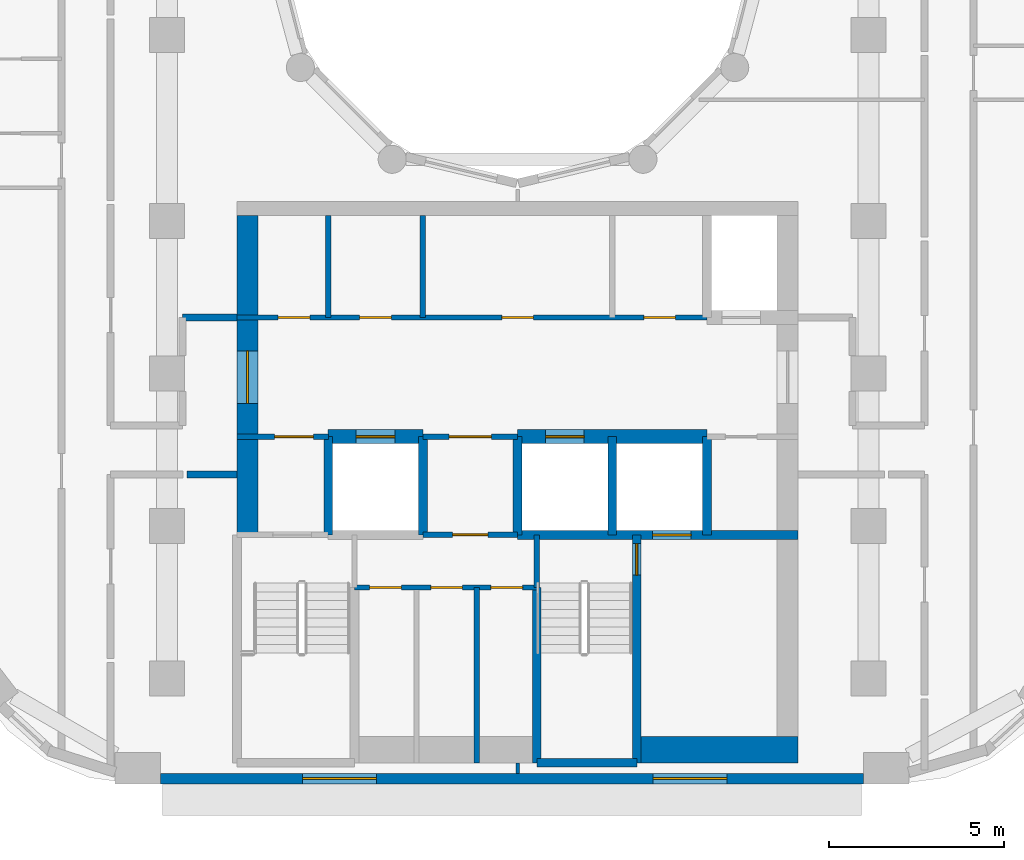
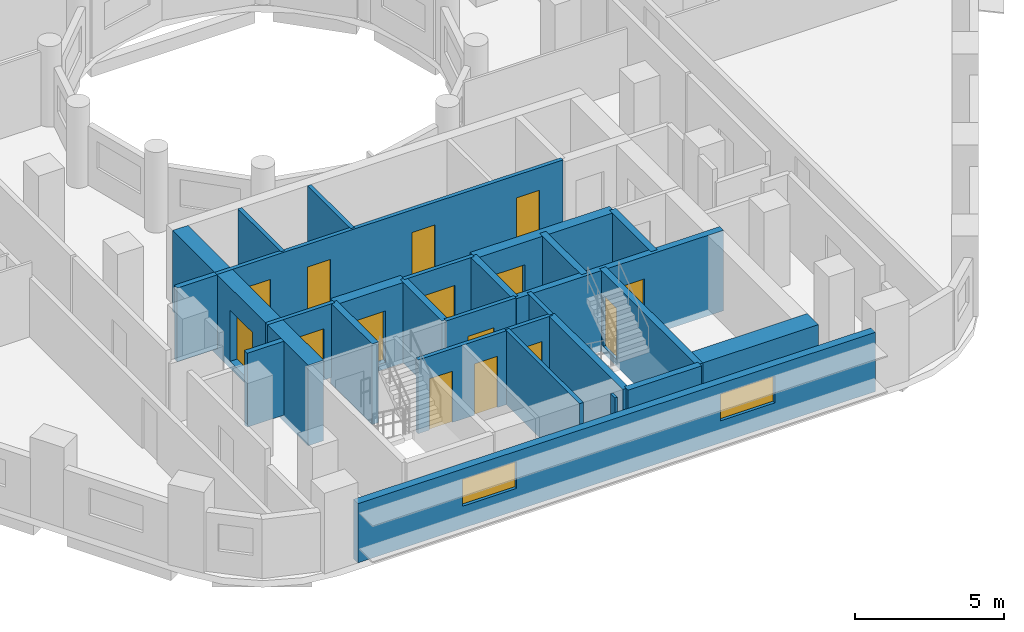
# One storey, part 3 of 13: 26 walls, 15 doors, 2 windows, 17 openings.
"""IFC4 building model written with IfcOpenShell, lengths in metres."""

from ifc_helpers import new_model, si_unit, direction, frame, frame_2d, origin, place, context, subcontext, project, spatial, rectangle, extrude, material, layer, layer_set, type_object, element, fill, save


model = new_model("IFC4")

# Units and contexts
model_context = context("Model", 3, precision=1e-05, world=origin(), true_north=direction((0.0, 1.0)))
body_context = subcontext(model_context, "Body", "Model", "MODEL_VIEW")
ifc_project = project(units=[si_unit("LENGTHUNIT", "METRE"), si_unit("AREAUNIT", "SQUARE_METRE"), si_unit("VOLUMEUNIT", "CUBIC_METRE"), si_unit("PLANEANGLEUNIT", "RADIAN"), si_unit("MASSUNIT", "GRAM", prefix="KILO")], contexts=[model_context])

# Site, building, storey
site_placement = place(None, origin())
site = spatial("IfcSite", under=ifc_project, at=site_placement, CompositionType="ELEMENT")
building_placement = place(site_placement, origin())
building = spatial("IfcBuilding", under=site, at=building_placement, Name="Nakaniwa Court", CompositionType="ELEMENT")
storey_placement = place(building_placement, frame((0.0, 0.0, 147.0)))
storey = spatial("IfcBuildingStorey", under=building, at=storey_placement, Name="L38", CompositionType="ELEMENT", Elevation=147.0)

# Walls
ifc_material_1 = material(Name="Acoustic double stud partition")
ifc_layer_1 = layer(ifc_material_1, 0.199951171875)
ifc_layer_set_1 = layer_set([ifc_layer_1], Name="Acoustic double stud partition")
wall_type_1 = type_object("IfcWallType", Name="Acoustic double stud partition 200", PredefinedType="PARTITIONING", material=ifc_layer_set_1)
wall_1_placement = place(storey_placement, frame((70.5771484375, 64.824951171875, 0.0), z_axis=(0.0, 0.0, 1.0), x_axis=(1.0, 0.0, 0.0)))
element("IfcWall", 1, at=wall_1_placement, inside=storey, type_object=wall_type_1, Name="Partition PW-080", PredefinedType="PARTITIONING", context=body_context, shape_type="SweptSolid", body=[
    extrude(rectangle(XDim=1.4228515625, YDim=0.199951171875, at=frame_2d((0.71142578125, 0.0))), origin(), (0.0, 0.0, 1.0), 3.02490234375),
])
wall_2_placement = place(storey_placement, frame((70.449951171875, 69.300048828125, 0.0), z_axis=(0.0, 0.0, 1.0), x_axis=(1.0, 0.0, 0.0)))
element("IfcWall", 2, at=wall_2_placement, inside=storey, type_object=wall_type_1, Name="Partition PW-084", PredefinedType="PARTITIONING", context=body_context, shape_type="SweptSolid", body=[
    extrude(rectangle(XDim=1.550048828125, YDim=0.199951171875, at=frame_2d((0.77490234375, 0.0))), origin(), (0.0, 0.0, 1.0), 3.02490234375),
])

# Wall, openings, windows
ifc_material_2 = material(Name="Charcoal ceramic cladding")
ifc_layer_2 = layer(ifc_material_2, 0.02, Name="Ceramic cladding")
ifc_material_3 = material(Name="Ventilated air cavity")
ifc_layer_3 = layer(ifc_material_3, 0.04, ventilated=True, Name="Ventilated cavity")
ifc_material_4 = material(Name="Mineral wool insulation")
ifc_layer_4 = layer(ifc_material_4, 0.1, Name="Insulation")
ifc_material_5 = material(Name="Cement bonded sheathing board")
ifc_layer_5 = layer(ifc_material_5, 0.012, Name="Sheathing")
ifc_material_6 = material(Name="Cold-formed galvanised stud frame with mineral wool infill")
ifc_layer_6 = layer(ifc_material_6, 0.1, Name="Stud frame")
ifc_material_7 = material(Name="Fire-rated gypsum plasterboard lining")
ifc_layer_7 = layer(ifc_material_7, 0.028, Name="Lining")
ifc_layer_set_2 = layer_set([ifc_layer_2, ifc_layer_3, ifc_layer_4, ifc_layer_5, ifc_layer_6, ifc_layer_7], Name="Charcoal ceramic faced external wall system")
wall_type_2 = type_object("IfcWallType", Name="Black ceramic faced external wall 300", PredefinedType="SOLIDWALL", material=ifc_layer_set_2)
wall_3_placement = place(storey_placement, frame((69.8212890625, 56.14990234375, 0.0), z_axis=(0.0, 0.0, 1.0), x_axis=(1.0, 0.0, 0.0)))
wall_3 = element("IfcWall", 3, at=wall_3_placement, inside=storey, type_object=wall_type_2, Name="L38 external wall 26", PredefinedType="SOLIDWALL", context=body_context, shape_type="SweptSolid", body=[
    extrude(rectangle(XDim=20.039794921875, YDim=0.300048828125, at=frame_2d((10.02001953125, 0.0))), origin(), (0.0, 0.0, 1.0), 2.425048828125),
])
opening_1_placement = place(wall_3_placement, frame((4.05126953125, 0.0, 0.89990234375)))
opening_1 = element("IfcOpeningElement", 4, at=opening_1_placement, cuts=wall_3, Name="Opening W7.27", PredefinedType="OPENING", context=body_context, shape_type="SweptSolid", body=[
    extrude(rectangle(XDim=2.10009765625, YDim=1.10009765625, at=frame_2d((1.050048828125, 0.550048828125))), frame((0.0, 0.159912109375, 0.0), z_axis=(0.0, -1.0, 0.0), x_axis=(1.0, 0.0, 0.0)), (0.0, 0.0, 1.0), 0.320068359375),
])
opening_2_placement = place(wall_3_placement, frame((14.047119140625, 0.0, 0.89990234375)))
opening_2 = element("IfcOpeningElement", 5, at=opening_2_placement, cuts=wall_3, Name="Opening W7.28", PredefinedType="OPENING", context=body_context, shape_type="SweptSolid", body=[
    extrude(rectangle(XDim=2.10009765625, YDim=1.10009765625, at=frame_2d((1.050048828125, 0.550048828125))), frame((0.0, 0.159912109375, 0.0), z_axis=(0.0, -1.0, 0.0), x_axis=(1.0, 0.0, 0.0)), (0.0, 0.0, 1.0), 0.320068359375),
])
ifc_material_8 = material(Name="Black anodised aluminium frame with dark low-E laminated double glazing", Category="aluminium")
window_type = type_object("IfcWindowType", Name="Dark glass window 2100x1100 sill 900", PartitioningType="SINGLE_PANEL", PredefinedType="WINDOW", material=ifc_material_8)
window_1_placement = place(opening_1_placement, origin())
window_1 = element("IfcWindow", 6, at=window_1_placement, inside=storey, type_object=window_type, Name="L38 habitable room window 26-0", OverallHeight=1.10009765625, OverallWidth=2.10009765625, PartitioningType="SINGLE_PANEL", PredefinedType="WINDOW", context=body_context, shape_type="SweptSolid", body=[
    extrude(rectangle(XDim=2.10009765625, YDim=1.10009765625, at=frame_2d((1.050048828125, 0.550048828125))), frame((0.0, 0.030029296875, 0.0), z_axis=(0.0, -1.0, 0.0), x_axis=(1.0, 0.0, 0.0)), (0.0, 0.0, 1.0), 0.06005859375),
])
fill(opening_1, window_1)
window_2_placement = place(opening_2_placement, origin())
window_2 = element("IfcWindow", 7, at=window_2_placement, inside=storey, type_object=window_type, Name="L38 habitable room window 26-1", OverallHeight=1.10009765625, OverallWidth=2.10009765625, PartitioningType="SINGLE_PANEL", PredefinedType="WINDOW", context=body_context, shape_type="SweptSolid", body=[
    extrude(rectangle(XDim=2.10009765625, YDim=1.10009765625, at=frame_2d((1.050048828125, 0.550048828125))), frame((0.0, 0.030029296875, 0.0), z_axis=(0.0, -1.0, 0.0), x_axis=(1.0, 0.0, 0.0)), (0.0, 0.0, 1.0), 0.06005859375),
])
fill(opening_2, window_2)

# Wall
ifc_material_9 = material(Name="Blockwork partition", Category="masonry")
ifc_layer_8 = layer(ifc_material_9, 0.14990234375)
ifc_layer_set_3 = layer_set([ifc_layer_8], Name="Blockwork partition")
wall_type_3 = type_object("IfcWallType", Name="Blockwork partition 150", PredefinedType="PARTITIONING", material=ifc_layer_set_3)
wall_4_placement = place(storey_placement, frame((74.60009765625, 69.300048828125, 0.0), z_axis=(0.0, 0.0, 1.0), x_axis=(0.0, 1.0, 0.0)))
element("IfcWall", 8, at=wall_4_placement, inside=storey, type_object=wall_type_3, Name="Partition PW-036", PredefinedType="PARTITIONING", context=body_context, shape_type="SweptSolid", body=[
    extrude(rectangle(XDim=2.89990234375, YDim=0.14990234375, at=frame_2d((1.449951171875, 0.0))), origin(), (0.0, 0.0, 1.0), 3.02490234375),
])

# Wall, openings, doors
wall_5_placement = place(storey_placement, frame((72.0, 69.300048828125, 0.0), z_axis=(0.0, 0.0, 1.0), x_axis=(1.0, 0.0, 0.0)))
wall_5 = element("IfcWall", 9, at=wall_5_placement, inside=storey, type_object=wall_type_3, Name="Partition PW-037", PredefinedType="PARTITIONING", context=body_context, shape_type="SweptSolid", body=[
    extrude(rectangle(XDim=13.39990234375, YDim=0.14990234375, at=frame_2d((6.699951171875, 0.0))), origin(), (0.0, 0.0, 1.0), 3.02490234375),
])
opening_3_placement = place(wall_5_placement, frame((1.175048828125, 0.0, 0.0)))
opening_3 = element("IfcOpeningElement", 10, at=opening_3_placement, cuts=wall_5, Name="Opening D-05-09", PredefinedType="OPENING", context=body_context, shape_type="SweptSolid", body=[
    extrude(rectangle(XDim=0.89990234375, YDim=2.10009765625, at=frame_2d((0.449951171875, 1.050048828125))), frame((0.0, 0.0849609375, 0.0), z_axis=(0.0, -1.0, 0.0), x_axis=(1.0, 0.0, 0.0)), (0.0, 0.0, 1.0), 0.169921875),
])
opening_4_placement = place(wall_5_placement, frame((3.5, 0.0, 0.0)))
opening_4 = element("IfcOpeningElement", 11, at=opening_4_placement, cuts=wall_5, Name="Opening D-05-10", PredefinedType="OPENING", context=body_context, shape_type="SweptSolid", body=[
    extrude(rectangle(XDim=0.89990234375, YDim=2.10009765625, at=frame_2d((0.449951171875, 1.050048828125))), frame((0.0, 0.0849609375, 0.0), z_axis=(0.0, -1.0, 0.0), x_axis=(1.0, 0.0, 0.0)), (0.0, 0.0, 1.0), 0.169921875),
])
opening_5_placement = place(wall_5_placement, frame((7.550048828125, 0.0, 0.0)))
opening_5 = element("IfcOpeningElement", 12, at=opening_5_placement, cuts=wall_5, Name="Opening D-05-11", PredefinedType="OPENING", context=body_context, shape_type="SweptSolid", body=[
    extrude(rectangle(XDim=0.89990234375, YDim=2.10009765625, at=frame_2d((0.449951171875, 1.050048828125))), frame((0.0, 0.0849609375, 0.0), z_axis=(0.0, -1.0, 0.0), x_axis=(1.0, 0.0, 0.0)), (0.0, 0.0, 1.0), 0.169921875),
])
opening_6_placement = place(wall_5_placement, frame((11.60009765625, 0.0, 0.0)))
opening_6 = element("IfcOpeningElement", 13, at=opening_6_placement, cuts=wall_5, Name="Opening D-05-12", PredefinedType="OPENING", context=body_context, shape_type="SweptSolid", body=[
    extrude(rectangle(XDim=0.89990234375, YDim=2.10009765625, at=frame_2d((0.449951171875, 1.050048828125))), frame((0.0, 0.0849609375, 0.0), z_axis=(0.0, -1.0, 0.0), x_axis=(1.0, 0.0, 0.0)), (0.0, 0.0, 1.0), 0.169921875),
])
ifc_material_10 = material(Name="Fire rated steel door set", Category="steel")
door_type_1 = type_object("IfcDoorType", Name="Service room door 900", OperationType="NOTDEFINED", PredefinedType="DOOR", material=ifc_material_10)
door_1_placement = place(opening_3_placement, origin())
door_1 = element("IfcDoor", 14, at=door_1_placement, inside=storey, type_object=door_type_1, Name="Door D-05-09 L38-014", OperationType="SINGLE_SWING_LEFT", OverallHeight=2.10009765625, OverallWidth=0.89990234375, PredefinedType="DOOR", context=body_context, shape_type="SweptSolid", body=[
    extrude(rectangle(XDim=0.89990234375, YDim=2.10009765625, at=frame_2d((0.449951171875, 1.050048828125))), frame((0.0, 0.02490234375, 0.0), z_axis=(0.0, -1.0, 0.0), x_axis=(1.0, 0.0, 0.0)), (0.0, 0.0, 1.0), 0.050048828125),
])
fill(opening_3, door_1)
door_2_placement = place(opening_4_placement, origin())
door_2 = element("IfcDoor", 15, at=door_2_placement, inside=storey, type_object=door_type_1, Name="Door D-05-10 L38-015", OperationType="SINGLE_SWING_RIGHT", OverallHeight=2.10009765625, OverallWidth=0.89990234375, PredefinedType="DOOR", context=body_context, shape_type="SweptSolid", body=[
    extrude(rectangle(XDim=0.89990234375, YDim=2.10009765625, at=frame_2d((0.449951171875, 1.050048828125))), frame((0.0, 0.02490234375, 0.0), z_axis=(0.0, -1.0, 0.0), x_axis=(1.0, 0.0, 0.0)), (0.0, 0.0, 1.0), 0.050048828125),
])
fill(opening_4, door_2)
door_3_placement = place(opening_5_placement, origin())
door_3 = element("IfcDoor", 16, at=door_3_placement, inside=storey, type_object=door_type_1, Name="Door D-05-11 L38-016", OperationType="SINGLE_SWING_LEFT", OverallHeight=2.10009765625, OverallWidth=0.89990234375, PredefinedType="DOOR", context=body_context, shape_type="SweptSolid", body=[
    extrude(rectangle(XDim=0.89990234375, YDim=2.10009765625, at=frame_2d((0.449951171875, 1.050048828125))), frame((0.0, 0.02490234375, 0.0), z_axis=(0.0, -1.0, 0.0), x_axis=(1.0, 0.0, 0.0)), (0.0, 0.0, 1.0), 0.050048828125),
])
fill(opening_5, door_3)
door_4_placement = place(opening_6_placement, origin())
door_4 = element("IfcDoor", 17, at=door_4_placement, inside=storey, type_object=door_type_1, Name="Door D-05-12 L38-017", OperationType="SINGLE_SWING_RIGHT", OverallHeight=2.10009765625, OverallWidth=0.89990234375, PredefinedType="DOOR", context=body_context, shape_type="SweptSolid", body=[
    extrude(rectangle(XDim=0.89990234375, YDim=2.10009765625, at=frame_2d((0.449951171875, 1.050048828125))), frame((0.0, 0.02490234375, 0.0), z_axis=(0.0, -1.0, 0.0), x_axis=(1.0, 0.0, 0.0)), (0.0, 0.0, 1.0), 0.050048828125),
])
fill(opening_6, door_4)

# Wall
wall_6_placement = place(storey_placement, frame((77.300048828125, 69.300048828125, 0.0), z_axis=(0.0, 0.0, 1.0), x_axis=(0.0, 1.0, 0.0)))
element("IfcWall", 18, at=wall_6_placement, inside=storey, type_object=wall_type_3, Name="Partition PW-043", PredefinedType="PARTITIONING", context=body_context, shape_type="SweptSolid", body=[
    extrude(rectangle(XDim=2.89990234375, YDim=0.14990234375, at=frame_2d((1.449951171875, 0.0))), origin(), (0.0, 0.0, 1.0), 3.02490234375),
])

# Wall, opening, door
wall_7_placement = place(storey_placement, frame((74.60302734375, 65.89990234375, 0.0), z_axis=(0.0, 0.0, 1.0), x_axis=(-1.0, 0.0, 0.0)))
wall_7 = element("IfcWall", 19, at=wall_7_placement, inside=storey, type_object=wall_type_3, Name="Partition PW-045", PredefinedType="PARTITIONING", context=body_context, shape_type="SweptSolid", body=[
    extrude(rectangle(XDim=2.60302734375, YDim=0.14990234375, at=frame_2d((1.301513671875, 0.0))), origin(), (0.0, 0.0, 1.0), 3.02490234375),
])
opening_7_placement = place(wall_7_placement, frame((0.427978515625, 0.0, 0.0)))
opening_7 = element("IfcOpeningElement", 20, at=opening_7_placement, cuts=wall_7, Name="Opening D-08-02", PredefinedType="OPENING", context=body_context, shape_type="SweptSolid", body=[
    extrude(rectangle(XDim=1.10009765625, YDim=2.10009765625, at=frame_2d((0.550048828125, 1.050048828125))), frame((0.0, 0.0849609375, 0.0), z_axis=(0.0, -1.0, 0.0), x_axis=(1.0, 0.0, 0.0)), (0.0, 0.0, 1.0), 0.169921875),
])
door_type_2 = type_object("IfcDoorType", Name="Stair lobby door 1100", OperationType="NOTDEFINED", PredefinedType="DOOR", material=ifc_material_10)
door_5_placement = place(opening_7_placement, origin())
door_5 = element("IfcDoor", 21, at=door_5_placement, inside=storey, type_object=door_type_2, Name="Door D-08-02 L38-018", OperationType="SINGLE_SWING_LEFT", OverallHeight=2.10009765625, OverallWidth=1.10009765625, PredefinedType="DOOR", context=body_context, shape_type="SweptSolid", body=[
    extrude(rectangle(XDim=1.10009765625, YDim=2.10009765625, at=frame_2d((0.550048828125, 1.050048828125))), frame((0.0, 0.02490234375, 0.0), z_axis=(0.0, -1.0, 0.0), x_axis=(1.0, 0.0, 0.0)), (0.0, 0.0, 1.0), 0.050048828125),
])
fill(opening_7, door_5)

wall_8_placement = place(storey_placement, frame((80.0029296875, 65.89990234375, 0.0), z_axis=(0.0, 0.0, 1.0), x_axis=(-1.0, 0.0, 0.0)))
wall_8 = element("IfcWall", 22, at=wall_8_placement, inside=storey, type_object=wall_type_3, Name="Partition PW-046", PredefinedType="PARTITIONING", context=body_context, shape_type="SweptSolid", body=[
    extrude(rectangle(XDim=2.705810546875, YDim=0.14990234375, at=frame_2d((1.35302734375, 0.0))), origin(), (0.0, 0.0, 1.0), 3.02490234375),
])
opening_8_placement = place(wall_8_placement, frame((0.7529296875, 0.0, 0.0)))
opening_8 = element("IfcOpeningElement", 23, at=opening_8_placement, cuts=wall_8, Name="Opening D-06-02", PredefinedType="OPENING", context=body_context, shape_type="SweptSolid", body=[
    extrude(rectangle(XDim=1.199951171875, YDim=2.10009765625, at=frame_2d((0.60009765625, 1.050048828125))), frame((0.0, 0.0849609375, 0.0), z_axis=(0.0, -1.0, 0.0), x_axis=(1.0, 0.0, 0.0)), (0.0, 0.0, 1.0), 0.169921875),
])
ifc_material_11 = material(Name="Fire rated steel double door set", Category="steel")
door_type_3 = type_object("IfcDoorType", Name="Service passage double door 1200", OperationType="NOTDEFINED", PredefinedType="DOOR", material=ifc_material_11)
door_6_placement = place(opening_8_placement, origin())
door_6 = element("IfcDoor", 24, at=door_6_placement, inside=storey, type_object=door_type_3, Name="Door D-06-02 L38-019", OperationType="DOUBLE_DOOR_SINGLE_SWING", OverallHeight=2.10009765625, OverallWidth=1.199951171875, PredefinedType="DOOR", context=body_context, shape_type="SweptSolid", body=[
    extrude(rectangle(XDim=1.199951171875, YDim=2.10009765625, at=frame_2d((0.60009765625, 1.050048828125))), frame((0.0, 0.02490234375, 0.0), z_axis=(0.0, -1.0, 0.0), x_axis=(1.0, 0.0, 0.0)), (0.0, 0.0, 1.0), 0.050048828125),
])
fill(opening_8, door_6)

wall_9_placement = place(storey_placement, frame((80.0, 63.10009765625, 0.0), z_axis=(0.0, 0.0, 1.0), x_axis=(-1.0, 0.0, 0.0)))
wall_9 = element("IfcWall", 25, at=wall_9_placement, inside=storey, type_object=wall_type_3, Name="Partition PW-056", PredefinedType="PARTITIONING", context=body_context, shape_type="SweptSolid", body=[
    extrude(rectangle(XDim=2.699951171875, YDim=0.14990234375, at=frame_2d((1.35009765625, 0.0))), origin(), (0.0, 0.0, 1.0), 3.02490234375),
])
opening_9_placement = place(wall_9_placement, frame((0.85009765625, 0.0, 0.0)))
opening_9 = element("IfcOpeningElement", 26, at=opening_9_placement, cuts=wall_9, Name="Opening D-23-02", PredefinedType="OPENING", context=body_context, shape_type="SweptSolid", body=[
    extrude(rectangle(XDim=1.0, YDim=2.10009765625, at=frame_2d((0.5, 1.050048828125))), frame((0.0, 0.0849609375, 0.0), z_axis=(0.0, -1.0, 0.0), x_axis=(1.0, 0.0, 0.0)), (0.0, 0.0, 1.0), 0.169921875),
])
door_type_4 = type_object("IfcDoorType", Name="Service room door 1000", OperationType="NOTDEFINED", PredefinedType="DOOR", material=ifc_material_10)
door_7_placement = place(opening_9_placement, origin())
door_7 = element("IfcDoor", 27, at=door_7_placement, inside=storey, type_object=door_type_4, Name="Door D-23-02 L38-021", OperationType="SINGLE_SWING_RIGHT", OverallHeight=2.10009765625, OverallWidth=1.0, PredefinedType="DOOR", context=body_context, shape_type="SweptSolid", body=[
    extrude(rectangle(XDim=1.0, YDim=2.10009765625, at=frame_2d((0.5, 1.050048828125))), frame((0.0, 0.02490234375, 0.0), z_axis=(0.0, -1.0, 0.0), x_axis=(1.0, 0.0, 0.0)), (0.0, 0.0, 1.0), 0.050048828125),
])
fill(opening_9, door_7)

# Wall, openings, doors
wall_10_placement = place(storey_placement, frame((80.550048828125, 61.60009765625, 0.0), z_axis=(0.0, 0.0, 1.0), x_axis=(-1.0, 0.0, 0.0)))
wall_10 = element("IfcWall", 28, at=wall_10_placement, inside=storey, type_object=wall_type_3, Name="Partition PW-068", PredefinedType="PARTITIONING", context=body_context, shape_type="SweptSolid", body=[
    extrude(rectangle(XDim=5.199951171875, YDim=0.14990234375, at=frame_2d((2.60009765625, 0.0))), origin(), (0.0, 0.0, 1.0), 3.02490234375),
])
opening_10_placement = place(wall_10_placement, frame((3.865966796875, 0.0, 0.0)))
opening_10 = element("IfcOpeningElement", 29, at=opening_10_placement, cuts=wall_10, Name="Opening D-05-14", PredefinedType="OPENING", context=body_context, shape_type="SweptSolid", body=[
    extrude(rectangle(XDim=0.89990234375, YDim=2.10009765625, at=frame_2d((0.449951171875, 1.050048828125))), frame((0.0, 0.0849609375, 0.0), z_axis=(0.0, -1.0, 0.0), x_axis=(1.0, 0.0, 0.0)), (0.0, 0.0, 1.0), 0.169921875),
])
opening_11_placement = place(wall_10_placement, frame((2.1240234375, 0.0, 0.0)))
opening_11 = element("IfcOpeningElement", 30, at=opening_11_placement, cuts=wall_10, Name="Opening D-05-15", PredefinedType="OPENING", context=body_context, shape_type="SweptSolid", body=[
    extrude(rectangle(XDim=0.89990234375, YDim=2.10009765625, at=frame_2d((0.449951171875, 1.050048828125))), frame((0.0, 0.0849609375, 0.0), z_axis=(0.0, -1.0, 0.0), x_axis=(1.0, 0.0, 0.0)), (0.0, 0.0, 1.0), 0.169921875),
])
opening_12_placement = place(wall_10_placement, frame((0.407958984375, 0.0, 0.0)))
opening_12 = element("IfcOpeningElement", 31, at=opening_12_placement, cuts=wall_10, Name="Opening D-05-16", PredefinedType="OPENING", context=body_context, shape_type="SweptSolid", body=[
    extrude(rectangle(XDim=0.89990234375, YDim=2.10009765625, at=frame_2d((0.449951171875, 1.050048828125))), frame((0.0, 0.0849609375, 0.0), z_axis=(0.0, -1.0, 0.0), x_axis=(1.0, 0.0, 0.0)), (0.0, 0.0, 1.0), 0.169921875),
])
door_8_placement = place(opening_10_placement, origin())
door_8 = element("IfcDoor", 32, at=door_8_placement, inside=storey, type_object=door_type_1, Name="Door D-05-14 L38-022", OperationType="SINGLE_SWING_LEFT", OverallHeight=2.10009765625, OverallWidth=0.89990234375, PredefinedType="DOOR", context=body_context, shape_type="SweptSolid", body=[
    extrude(rectangle(XDim=0.89990234375, YDim=2.10009765625, at=frame_2d((0.449951171875, 1.050048828125))), frame((0.0, 0.02490234375, 0.0), z_axis=(0.0, -1.0, 0.0), x_axis=(1.0, 0.0, 0.0)), (0.0, 0.0, 1.0), 0.050048828125),
])
fill(opening_10, door_8)
door_9_placement = place(opening_11_placement, origin())
door_9 = element("IfcDoor", 33, at=door_9_placement, inside=storey, type_object=door_type_1, Name="Door D-05-15 L38-023", OperationType="SINGLE_SWING_RIGHT", OverallHeight=2.10009765625, OverallWidth=0.89990234375, PredefinedType="DOOR", context=body_context, shape_type="SweptSolid", body=[
    extrude(rectangle(XDim=0.89990234375, YDim=2.10009765625, at=frame_2d((0.449951171875, 1.050048828125))), frame((0.0, 0.02490234375, 0.0), z_axis=(0.0, -1.0, 0.0), x_axis=(1.0, 0.0, 0.0)), (0.0, 0.0, 1.0), 0.050048828125),
])
fill(opening_11, door_9)
door_10_placement = place(opening_12_placement, origin())
door_10 = element("IfcDoor", 34, at=door_10_placement, inside=storey, type_object=door_type_1, Name="Door D-05-16 L38-024", OperationType="SINGLE_SWING_LEFT", OverallHeight=2.10009765625, OverallWidth=0.89990234375, PredefinedType="DOOR", context=body_context, shape_type="SweptSolid", body=[
    extrude(rectangle(XDim=0.89990234375, YDim=2.10009765625, at=frame_2d((0.449951171875, 1.050048828125))), frame((0.0, 0.02490234375, 0.0), z_axis=(0.0, -1.0, 0.0), x_axis=(1.0, 0.0, 0.0)), (0.0, 0.0, 1.0), 0.050048828125),
])
fill(opening_12, door_10)

# Wall
wall_11_placement = place(storey_placement, frame((78.833984375, 56.60009765625, 0.0), z_axis=(0.0, 0.0, 1.0), x_axis=(0.0, 1.0, 0.0)))
element("IfcWall", 35, at=wall_11_placement, inside=storey, type_object=wall_type_3, Name="Partition PW-070", PredefinedType="PARTITIONING", context=body_context, shape_type="SweptSolid", body=[
    extrude(rectangle(XDim=5.0, YDim=0.14990234375, at=frame_2d((2.5, 0.0))), origin(), (0.0, 0.0, 1.0), 3.02490234375),
])

# Wall, opening, door
ifc_material_12 = material(Name="Concrete C80/100", Category="concrete")
ifc_layer_9 = layer(ifc_material_12, 0.60009765625)
ifc_layer_set_4 = layer_set([ifc_layer_9], Name="Concrete C80/100")
wall_type_4 = type_object("IfcWallType", Name="Concrete core side wall 600 C80", PredefinedType="SHEAR", material=ifc_layer_set_4)
wall_12_placement = place(storey_placement, frame((72.300048828125, 63.10009765625, -0.27490234375), z_axis=(0.0, 0.0, 1.0), x_axis=(0.0, 1.0, 0.0)))
wall_12 = element("IfcWall", 36, at=wall_12_placement, inside=storey, type_object=wall_type_4, Name="Core wall SW-38", PredefinedType="SHEAR", context=body_context, shape_type="SweptSolid", body=[
    extrude(rectangle(XDim=9.099853515625, YDim=0.60009765625, at=frame_2d((4.5498046875, 0.0))), origin(), (0.0, 0.0, 1.0), 3.2998046875),
])
opening_13_placement = place(wall_12_placement, frame((3.748046875, 0.0, 0.27490234375)))
opening_13 = element("IfcOpeningElement", 37, at=opening_13_placement, cuts=wall_12, Name="Opening D-07-04", PredefinedType="OPENING", context=body_context, shape_type="SweptSolid", body=[
    extrude(rectangle(XDim=1.5, YDim=2.10009765625, at=frame_2d((0.75, 1.050048828125))), frame((0.0, 0.31005859375, 0.0), z_axis=(0.0, -1.0, 0.0), x_axis=(1.0, 0.0, 0.0)), (0.0, 0.0, 1.0), 0.6201171875),
])
ifc_material_13 = material(Name="Glazed fire rated steel double door set", Category="steel")
door_type_5 = type_object("IfcDoorType", Name="Lobby double door 1500", OperationType="NOTDEFINED", PredefinedType="DOOR", material=ifc_material_13)
door_11_placement = place(opening_13_placement, origin())
door_11 = element("IfcDoor", 38, at=door_11_placement, inside=storey, type_object=door_type_5, Name="Door D-07-04 L38-057", OperationType="DOUBLE_DOOR_SINGLE_SWING", OverallHeight=2.10009765625, OverallWidth=1.5, PredefinedType="DOOR", context=body_context, shape_type="SweptSolid", body=[
    extrude(rectangle(XDim=1.5, YDim=2.10009765625, at=frame_2d((0.75, 1.050048828125))), frame((0.0, 0.02490234375, 0.0), z_axis=(0.0, -1.0, 0.0), x_axis=(1.0, 0.0, 0.0)), (0.0, 0.0, 1.0), 0.050048828125),
])
fill(opening_13, door_11)

ifc_layer_10 = layer(ifc_material_12, 0.39990234375)
ifc_layer_set_5 = layer_set([ifc_layer_10], Name="Concrete C80/100")
wall_type_5 = type_object("IfcWallType", Name="Concrete core spine wall 400 C80", PredefinedType="SHEAR", material=ifc_layer_set_5)
wall_13_placement = place(storey_placement, frame((74.596923828125, 65.89990234375, -0.27490234375), z_axis=(0.0, 0.0, 1.0), x_axis=(1.0, 0.0, 0.0)))
wall_13 = element("IfcWall", 39, at=wall_13_placement, inside=storey, type_object=wall_type_5, Name="Core wall SW-48", PredefinedType="SHEAR", context=body_context, shape_type="SweptSolid", body=[
    extrude(rectangle(XDim=2.7060546875, YDim=0.39990234375, at=frame_2d((1.35302734375, 0.0))), origin(), (0.0, 0.0, 1.0), 3.2998046875),
])
opening_14_placement = place(wall_13_placement, frame((0.802978515625, 0.0, 0.27490234375)))
opening_14 = element("IfcOpeningElement", 40, at=opening_14_placement, cuts=wall_13, Name="Opening LD06", PredefinedType="OPENING", context=body_context, shape_type="SweptSolid", body=[
    extrude(rectangle(XDim=1.10009765625, YDim=2.10009765625, at=frame_2d((0.550048828125, 1.050048828125))), frame((0.0, 0.2099609375, 0.0), z_axis=(0.0, -1.0, 0.0), x_axis=(1.0, 0.0, 0.0)), (0.0, 0.0, 1.0), 0.419921875),
])
ifc_material_14 = material(Name="Stainless steel sliding lift landing door", Category="steel")
door_type_6 = type_object("IfcDoorType", Name="Lift landing door 1100", OperationType="NOTDEFINED", PredefinedType="DOOR", material=ifc_material_14)
door_12_placement = place(opening_14_placement, origin())
door_12 = element("IfcDoor", 41, at=door_12_placement, inside=storey, type_object=door_type_6, Name="Lift landing door LD06 L38-006", OperationType="SLIDING_TO_LEFT", OverallHeight=2.10009765625, OverallWidth=1.10009765625, PredefinedType="DOOR", context=body_context, shape_type="SweptSolid", body=[
    extrude(rectangle(XDim=1.10009765625, YDim=2.10009765625, at=frame_2d((0.550048828125, 1.050048828125))), frame((0.0, 0.02490234375, 0.0), z_axis=(0.0, -1.0, 0.0), x_axis=(1.0, 0.0, 0.0)), (0.0, 0.0, 1.0), 0.050048828125),
])
fill(opening_14, door_12)

wall_14_placement = place(storey_placement, frame((79.9970703125, 65.89990234375, -0.27490234375), z_axis=(0.0, 0.0, 1.0), x_axis=(1.0, 0.0, 0.0)))
wall_14 = element("IfcWall", 42, at=wall_14_placement, inside=storey, type_object=wall_type_5, Name="Core wall SW-49", PredefinedType="SHEAR", context=body_context, shape_type="SweptSolid", body=[
    extrude(rectangle(XDim=5.406005859375, YDim=0.39990234375, at=frame_2d((2.703125, 0.0))), origin(), (0.0, 0.0, 1.0), 3.2998046875),
])
opening_15_placement = place(wall_14_placement, frame((0.802978515625, 0.0, 0.27490234375)))
opening_15 = element("IfcOpeningElement", 43, at=opening_15_placement, cuts=wall_14, Name="Opening LD07", PredefinedType="OPENING", context=body_context, shape_type="SweptSolid", body=[
    extrude(rectangle(XDim=1.10009765625, YDim=2.10009765625, at=frame_2d((0.550048828125, 1.050048828125))), frame((0.0, 0.2099609375, 0.0), z_axis=(0.0, -1.0, 0.0), x_axis=(1.0, 0.0, 0.0)), (0.0, 0.0, 1.0), 0.419921875),
])
door_13_placement = place(opening_15_placement, origin())
door_13 = element("IfcDoor", 44, at=door_13_placement, inside=storey, type_object=door_type_6, Name="Lift landing door LD07 L38-007", OperationType="SLIDING_TO_LEFT", OverallHeight=2.10009765625, OverallWidth=1.10009765625, PredefinedType="DOOR", context=body_context, shape_type="SweptSolid", body=[
    extrude(rectangle(XDim=1.10009765625, YDim=2.10009765625, at=frame_2d((0.550048828125, 1.050048828125))), frame((0.0, 0.02490234375, 0.0), z_axis=(0.0, -1.0, 0.0), x_axis=(1.0, 0.0, 0.0)), (0.0, 0.0, 1.0), 0.050048828125),
])
fill(opening_15, door_13)

# Walls
ifc_layer_11 = layer(ifc_material_12, 0.14990234375)
ifc_layer_set_6 = layer_set([ifc_layer_11], Name="Concrete C80/100")
wall_type_6 = type_object("IfcWallType", Name="Concrete core wall 150 C80", PredefinedType="SHEAR", material=ifc_layer_set_6)
wall_15_placement = place(storey_placement, frame((80.550048828125, 61.596923828125, -0.27490234375), z_axis=(0.0, 0.0, 1.0), x_axis=(0.0, 1.0, 0.0)))
element("IfcWall", 45, at=wall_15_placement, inside=storey, type_object=wall_type_6, Name="Core wall SW-64", PredefinedType="SHEAR", context=body_context, shape_type="SweptSolid", body=[
    extrude(rectangle(XDim=1.503173828125, YDim=0.14990234375, at=frame_2d((0.75146484375, 0.0))), origin(), (0.0, 0.0, 1.0), 3.2998046875),
])
ifc_layer_12 = layer(ifc_material_12, 0.25)
ifc_layer_set_7 = layer_set([ifc_layer_12], Name="Concrete C80/100")
wall_type_7 = type_object("IfcWallType", Name="Concrete core wall 250 C80", PredefinedType="SHEAR", material=ifc_layer_set_7)
wall_16_placement = place(storey_placement, frame((80.550048828125, 56.60009765625, -0.27490234375), z_axis=(0.0, 0.0, 1.0), x_axis=(1.0, 0.0, 0.0)))
element("IfcWall", 46, at=wall_16_placement, inside=storey, type_object=wall_type_7, Name="Core wall SW-62", PredefinedType="SHEAR", context=body_context, shape_type="SweptSolid", body=[
    extrude(rectangle(XDim=2.849853515625, YDim=0.25, at=frame_2d((1.4248046875, 0.0))), origin(), (0.0, 0.0, 1.0), 3.2998046875),
])
ifc_layer_13 = layer(ifc_material_12, 0.75)
ifc_layer_set_8 = layer_set([ifc_layer_13], Name="Concrete C80/100")
wall_type_8 = type_object("IfcWallType", Name="Concrete core wall 750 C80", PredefinedType="SHEAR", material=ifc_layer_set_8)
wall_17_placement = place(storey_placement, frame((83.39990234375, 56.97509765625, -0.27490234375), z_axis=(0.0, 0.0, 1.0), x_axis=(1.0, 0.0, 0.0)))
element("IfcWall", 47, at=wall_17_placement, inside=storey, type_object=wall_type_8, Name="Core wall SW-67", PredefinedType="SHEAR", context=body_context, shape_type="SweptSolid", body=[
    extrude(rectangle(XDim=4.60009765625, YDim=0.75, at=frame_2d((2.300048828125, 0.0))), origin(), (0.0, 0.0, 1.0), 3.2998046875),
])
ifc_layer_14 = layer(ifc_material_12, 0.25)
ifc_layer_set_9 = layer_set([ifc_layer_14], Name="Concrete C80/100")
wall_type_9 = type_object("IfcWallType", Name="Concrete shaft wall 250 C80", PredefinedType="SHEAR", material=ifc_layer_set_9)
for number, where, z_axis, x_axis, name in (
    (48, (85.39990234375, 63.10009765625, -0.27490234375), (0.0, 0.0, 1.0), (0.0, 1.0, 0.0), "Core wall SW-39"),
    (49, (74.60009765625, 63.10009765625, -0.27490234375), (0.0, 0.0, 1.0), (0.0, 1.0, 0.0), "Core wall SW-50"),
    (50, (77.300048828125, 63.10009765625, -0.27490234375), (0.0, 0.0, 1.0), (0.0, 1.0, 0.0), "Core wall SW-52"),
):
    element("IfcWall", number, at=place(storey_placement, frame(where, z_axis=z_axis, x_axis=x_axis)), inside=storey, type_object=wall_type_9, Name=name, PredefinedType="SHEAR", context=body_context, shape_type="SweptSolid", body=[
        extrude(rectangle(XDim=2.7998046875, YDim=0.25, at=frame_2d((1.39990234375, 0.0))), origin(), (0.0, 0.0, 1.0), 3.2998046875),
    ])

# Wall, opening, door
wall_18_placement = place(storey_placement, frame((80.0, 63.10009765625, -0.27490234375), z_axis=(0.0, 0.0, 1.0), x_axis=(1.0, 0.0, 0.0)))
wall_18 = element("IfcWall", 51, at=wall_18_placement, inside=storey, type_object=wall_type_9, Name="Core wall SW-54", PredefinedType="SHEAR", context=body_context, shape_type="SweptSolid", body=[
    extrude(rectangle(XDim=8.0, YDim=0.25, at=frame_2d((4.0, 0.0))), origin(), (0.0, 0.0, 1.0), 3.2998046875),
])
opening_16_placement = place(wall_18_placement, frame((3.84912109375, 0.0, 0.27490234375)))
opening_16 = element("IfcOpeningElement", 52, at=opening_16_placement, cuts=wall_18, Name="Opening LD08", PredefinedType="OPENING", context=body_context, shape_type="SweptSolid", body=[
    extrude(rectangle(XDim=1.10009765625, YDim=2.10009765625, at=frame_2d((0.550048828125, 1.050048828125))), frame((0.0, 0.135009765625, 0.0), z_axis=(0.0, -1.0, 0.0), x_axis=(1.0, 0.0, 0.0)), (0.0, 0.0, 1.0), 0.27001953125),
])
door_14_placement = place(opening_16_placement, origin())
door_14 = element("IfcDoor", 53, at=door_14_placement, inside=storey, type_object=door_type_6, Name="Lift landing door LD08 L38-008", OperationType="SLIDING_TO_LEFT", OverallHeight=2.10009765625, OverallWidth=1.10009765625, PredefinedType="DOOR", context=body_context, shape_type="SweptSolid", body=[
    extrude(rectangle(XDim=1.10009765625, YDim=2.10009765625, at=frame_2d((0.550048828125, 1.050048828125))), frame((0.0, 0.02490234375, 0.0), z_axis=(0.0, -1.0, 0.0), x_axis=(1.0, 0.0, 0.0)), (0.0, 0.0, 1.0), 0.050048828125),
])
fill(opening_16, door_14)

# Walls
for number, where, z_axis, x_axis, name in (
    (54, (80.0, 63.10009765625, -0.27490234375), (0.0, 0.0, 1.0), (0.0, 1.0, 0.0), "Core wall SW-55"),
    (55, (82.699951171875, 63.10009765625, -0.27490234375), (0.0, 0.0, 1.0), (0.0, 1.0, 0.0), "Core wall SW-57"),
):
    element("IfcWall", number, at=place(storey_placement, frame(where, z_axis=z_axis, x_axis=x_axis)), inside=storey, type_object=wall_type_9, Name=name, PredefinedType="SHEAR", context=body_context, shape_type="SweptSolid", body=[
        extrude(rectangle(XDim=2.7998046875, YDim=0.25, at=frame_2d((1.39990234375, 0.0))), origin(), (0.0, 0.0, 1.0), 3.2998046875),
    ])

# Wall, opening, door
wall_19_placement = place(storey_placement, frame((83.39990234375, 63.10009765625, -0.27490234375), z_axis=(0.0, 0.0, 1.0), x_axis=(0.0, -1.0, 0.0)))
wall_19 = element("IfcWall", 56, at=wall_19_placement, inside=storey, type_object=wall_type_9, Name="Core wall SW-63", PredefinedType="SHEAR", context=body_context, shape_type="SweptSolid", body=[
    extrude(rectangle(XDim=6.5, YDim=0.25, at=frame_2d((3.25, 0.0))), origin(), (0.0, 0.0, 1.0), 3.2998046875),
])
opening_17_placement = place(wall_19_placement, frame((0.25, 0.0, 0.27490234375)))
opening_17 = element("IfcOpeningElement", 57, at=opening_17_placement, cuts=wall_19, Name="Opening D-11-02", PredefinedType="OPENING", context=body_context, shape_type="SweptSolid", body=[
    extrude(rectangle(XDim=0.89990234375, YDim=2.10009765625, at=frame_2d((0.449951171875, 1.050048828125))), frame((0.0, 0.135009765625, 0.0), z_axis=(0.0, -1.0, 0.0), x_axis=(1.0, 0.0, 0.0)), (0.0, 0.0, 1.0), 0.27001953125),
])
door_type_7 = type_object("IfcDoorType", Name="Stair door 900", OperationType="NOTDEFINED", PredefinedType="DOOR", material=ifc_material_10)
door_15_placement = place(opening_17_placement, origin())
door_15 = element("IfcDoor", 58, at=door_15_placement, inside=storey, type_object=door_type_7, Name="Door D-11-02 L38-026", OperationType="SINGLE_SWING_RIGHT", OverallHeight=2.10009765625, OverallWidth=0.89990234375, PredefinedType="DOOR", context=body_context, shape_type="SweptSolid", body=[
    extrude(rectangle(XDim=0.89990234375, YDim=2.10009765625, at=frame_2d((0.449951171875, 1.050048828125))), frame((0.0, 0.02490234375, 0.0), z_axis=(0.0, -1.0, 0.0), x_axis=(1.0, 0.0, 0.0)), (0.0, 0.0, 1.0), 0.050048828125),
])
fill(opening_17, door_15)

# Walls
wall_20_placement = place(storey_placement, frame((80.550048828125, 56.60009765625, -0.27490234375), z_axis=(0.0, 0.0, 1.0), x_axis=(0.0, 1.0, 0.0)))
element("IfcWall", 59, at=wall_20_placement, inside=storey, type_object=wall_type_9, Name="Core wall SW-65", PredefinedType="SHEAR", context=body_context, shape_type="SweptSolid", body=[
    extrude(rectangle(XDim=5.0029296875, YDim=0.25, at=frame_2d((2.50146484375, 0.0))), origin(), (0.0, 0.0, 1.0), 3.2998046875),
])
ifc_material_15 = material(Name="Single stud plasterboard partition")
ifc_layer_15 = layer(ifc_material_15, 0.10009765625)
ifc_layer_set_10 = layer_set([ifc_layer_15], Name="Single stud plasterboard partition")
wall_type_10 = type_object("IfcWallType", Name="Single stud plasterboard partition 100", PredefinedType="PARTITIONING", material=ifc_layer_set_10)
wall_21_placement = place(storey_placement, frame((80.0, 56.300048828125, 0.0), z_axis=(0.0, 0.0, 1.0), x_axis=(0.0, 1.0, 0.0)))
element("IfcWall", 60, at=wall_21_placement, inside=storey, type_object=wall_type_10, Name="Partition PW-113", PredefinedType="PARTITIONING", context=body_context, shape_type="SweptSolid", body=[
    extrude(rectangle(XDim=0.300048828125, YDim=0.10009765625, at=frame_2d((0.14990234375, 0.0))), origin(), (0.0, 0.0, 1.0), 3.02490234375),
])

save(model, "model.ifc")
